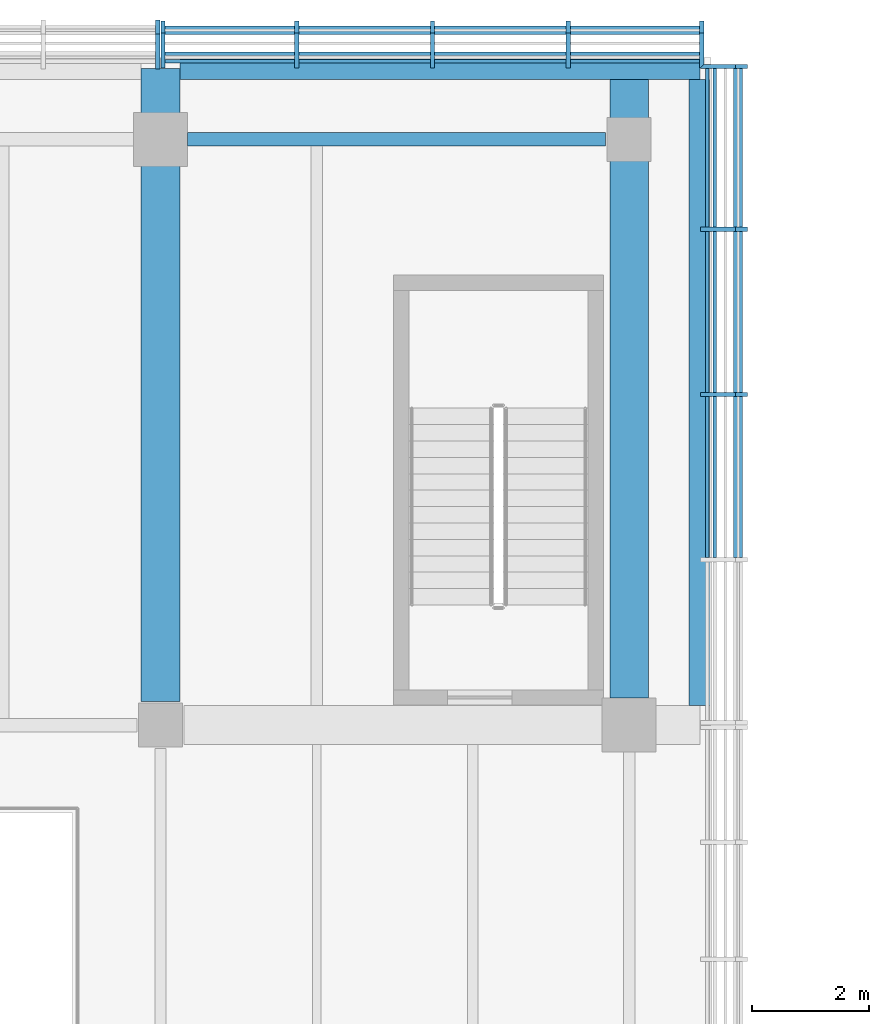
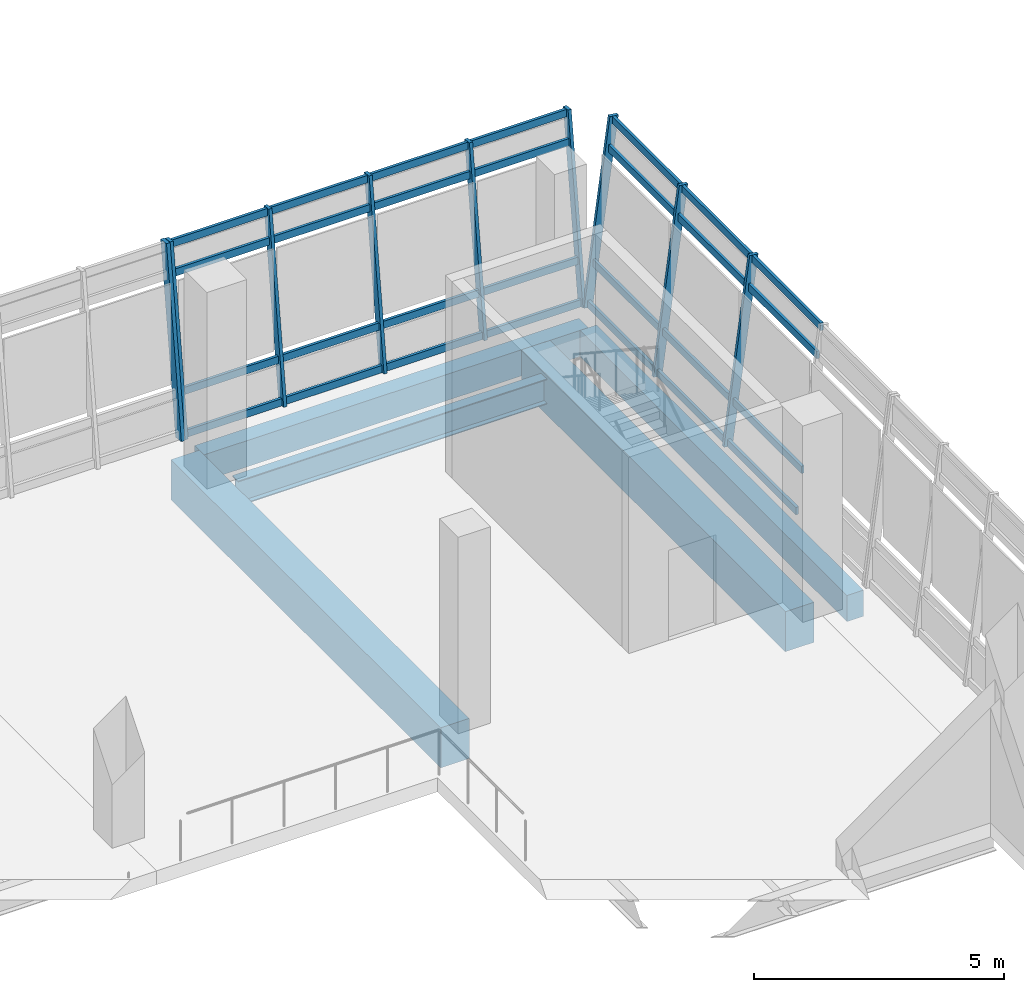
# One storey, part 17 of 52: 37 members, 5 beams, 3 elements without a shape of their own.
"""IFC4 building model written with IfcOpenShell, lengths in metres."""

from ifc_helpers import new_model, si_unit, direction, frame, origin, origin_2d, place, context, subcontext, project, spatial, rectangle, i_section, extrude, material, material_profile, profile_set, type_object, element, aggregate, save


model = new_model("IFC4")

# Units and contexts
model_context = context("Model", 3, precision=1e-05, world=origin(), true_north=direction((0.0, 1.0)))
body_context = subcontext(model_context, "Body", "Model", "MODEL_VIEW")
ifc_project = project(units=[si_unit("LENGTHUNIT", "METRE"), si_unit("AREAUNIT", "SQUARE_METRE"), si_unit("VOLUMEUNIT", "CUBIC_METRE"), si_unit("PLANEANGLEUNIT", "RADIAN"), si_unit("MASSUNIT", "GRAM", prefix="KILO")], contexts=[model_context])

# Site, building, storey
site_placement = place(None, origin())
site = spatial("IfcSite", under=ifc_project, at=site_placement, CompositionType="ELEMENT")
building_placement = place(site_placement, origin())
building = spatial("IfcBuilding", under=site, at=building_placement, Name="Pecanmere Concourse Central Library", CompositionType="ELEMENT")
storey_placement = place(building_placement, frame((0.0, 0.0, 10.5)))
storey = spatial("IfcBuildingStorey", under=building, at=storey_placement, Name="L03", CompositionType="ELEMENT", Elevation=10.5)

# Curtain wall, members
ifc_material_1 = material(Name="Anodized bronze aluminium alloy 6063-T6", Category="aluminium")
curtain_wall_type_1 = type_object("IfcCurtainWallType", Name="CW_LEAN_BANDED", PredefinedType="USERDEFINED", material=ifc_material_1)
curtain_wall_1_placement = place(storey_placement, origin())
curtain_wall_1 = element("IfcCurtainWall", 1, at=curtain_wall_1_placement, inside=storey, type_object=curtain_wall_type_1, Name="Unitised Curtain Wall CW-01 L03-022", ObjectType="UNITISED CURTAIN WALL", PredefinedType="USERDEFINED")
ifc_material_2 = material(Name="Anodized bronze aluminium alloy 6063-T6", Category="aluminium")
ifc_material_profile_1 = material_profile(ifc_material_2, rectangle(XDim=0.074951171875, YDim=0.199951171875, at=origin_2d()), Name="AL 75x200")
ifc_profile_set_1 = profile_set([ifc_material_profile_1], Name="Anodized bronze aluminium alloy 6063-T6")
member_type_1 = type_object("IfcMemberType", Name="CWM_200x75", PredefinedType="MULLION", material=ifc_profile_set_1)
member_1_placement = place(storey_placement, frame((105.243408203125, 125.321044921875, 0.0), z_axis=(0.0, 0.132234484848, 0.991218462811), x_axis=(-1.0, 0.0, 0.0)))
member_1 = element("IfcMember", 2, at=member_1_placement, type_object=member_type_1, Name="CW-01 Mullion 1", PredefinedType="MULLION", context=body_context, shape_type="SweptSolid", body=[
    extrude(rectangle(XDim=0.074951171875, YDim=0.199951171875, at=origin_2d()), origin(), (0.0, 0.0, 1.0), 4.519775390625),
])
member_2_placement = place(storey_placement, frame((102.9619140625, 125.321044921875, 0.0), z_axis=(0.0, 0.132234484848, 0.991218462811), x_axis=(-1.0, 0.0, 0.0)))
member_2 = element("IfcMember", 3, at=member_2_placement, type_object=member_type_1, Name="CW-01 Mullion 2", PredefinedType="MULLION", context=body_context, shape_type="SweptSolid", body=[
    extrude(rectangle(XDim=0.074951171875, YDim=0.199951171875, at=origin_2d()), origin(), (0.0, 0.0, 1.0), 4.519775390625),
])
member_3_placement = place(storey_placement, frame((100.64306640625, 125.321044921875, 0.0), z_axis=(0.0, 0.132234484848, 0.991218462811), x_axis=(-1.0, 0.0, 0.0)))
member_3 = element("IfcMember", 4, at=member_3_placement, type_object=member_type_1, Name="CW-01 Mullion 3", PredefinedType="MULLION", context=body_context, shape_type="SweptSolid", body=[
    extrude(rectangle(XDim=0.074951171875, YDim=0.199951171875, at=origin_2d()), origin(), (0.0, 0.0, 1.0), 4.519775390625),
])
member_4_placement = place(storey_placement, frame((98.323974609375, 125.321044921875, 0.0), z_axis=(0.0, 0.132234484848, 0.991218462811), x_axis=(-1.0, 0.0, 0.0)))
member_4 = element("IfcMember", 5, at=member_4_placement, type_object=member_type_1, Name="CW-01 Mullion 4", PredefinedType="MULLION", context=body_context, shape_type="SweptSolid", body=[
    extrude(rectangle(XDim=0.074951171875, YDim=0.199951171875, at=origin_2d()), origin(), (0.0, 0.0, 1.0), 4.519775390625),
])
member_5_placement = place(storey_placement, frame((96.04248046875, 125.321044921875, 0.0), z_axis=(0.0, 0.132234484848, 0.991218462811), x_axis=(-1.0, 0.0, 0.0)))
member_5 = element("IfcMember", 6, at=member_5_placement, type_object=member_type_1, Name="CW-01 Mullion 5", PredefinedType="MULLION", context=body_context, shape_type="SweptSolid", body=[
    extrude(rectangle(XDim=0.074951171875, YDim=0.199951171875, at=origin_2d()), origin(), (0.0, 0.0, 1.0), 4.519775390625),
])

curtain_wall_2_placement = place(storey_placement, origin())
curtain_wall_2 = element("IfcCurtainWall", 7, at=curtain_wall_2_placement, inside=storey, type_object=curtain_wall_type_1, Name="Unitised Curtain Wall CW-01 L03-033", ObjectType="UNITISED CURTAIN WALL", PredefinedType="USERDEFINED")
member_6_placement = place(storey_placement, frame((105.321044921875, 119.64306640625, 0.0), z_axis=(0.132234484848, 0.0, 0.991218462811), x_axis=(0.0, 1.0, 0.0)))
member_6 = element("IfcMember", 8, at=member_6_placement, type_object=member_type_1, Name="CW-01 Mullion 3", PredefinedType="MULLION", context=body_context, shape_type="SweptSolid", body=[
    extrude(rectangle(XDim=0.074951171875, YDim=0.199951171875, at=origin_2d()), origin(), (0.0, 0.0, 1.0), 4.519775390625),
])
member_7_placement = place(storey_placement, frame((105.321044921875, 122.4619140625, 0.0), z_axis=(0.132234484848, 0.0, 0.991218462811), x_axis=(0.0, 1.0, 0.0)))
member_7 = element("IfcMember", 9, at=member_7_placement, type_object=member_type_1, Name="CW-01 Mullion 4", PredefinedType="MULLION", context=body_context, shape_type="SweptSolid", body=[
    extrude(rectangle(XDim=0.074951171875, YDim=0.199951171875, at=origin_2d()), origin(), (0.0, 0.0, 1.0), 4.519775390625),
])
member_8_placement = place(storey_placement, frame((105.321044921875, 125.243408203125, 0.0), z_axis=(0.132234484848, 0.0, 0.991218462811), x_axis=(0.0, 1.0, 0.0)))
member_8 = element("IfcMember", 10, at=member_8_placement, type_object=member_type_1, Name="CW-01 Mullion 5", PredefinedType="MULLION", context=body_context, shape_type="SweptSolid", body=[
    extrude(rectangle(XDim=0.074951171875, YDim=0.199951171875, at=origin_2d()), origin(), (0.0, 0.0, 1.0), 4.519775390625),
])

# Curtain wall, member
ifc_material_3 = material(Name="Anodized bronze aluminium alloy 6063-T6", Category="aluminium")
curtain_wall_type_2 = type_object("IfcCurtainWallType", Name="CW_PORTAL_CLEAR", PredefinedType="USERDEFINED", material=ifc_material_3)
curtain_wall_3_placement = place(storey_placement, origin())
curtain_wall_3 = element("IfcCurtainWall", 11, at=curtain_wall_3_placement, inside=storey, type_object=curtain_wall_type_2, Name="Unitised Curtain Wall CW-03 L03-023", ObjectType="UNITISED CURTAIN WALL", PredefinedType="USERDEFINED")
ifc_material_4 = material(Name="Anodized bronze aluminium alloy 6063-T6", Category="aluminium")
ifc_material_profile_2 = material_profile(ifc_material_4, rectangle(XDim=0.0849609375, YDim=0.239990234375, at=origin_2d()), Name="AL 85x240")
ifc_profile_set_2 = profile_set([ifc_material_profile_2], Name="Anodized bronze aluminium alloy 6063-T6")
member_type_2 = type_object("IfcMemberType", Name="CWM_240x85", PredefinedType="MULLION", material=ifc_profile_set_2)
member_9_placement = place(storey_placement, frame((95.952392578125, 125.321044921875, 0.0), z_axis=(0.0, 0.132234484848, 0.991218462811), x_axis=(-1.0, 0.0, 0.0)))
member_9 = element("IfcMember", 12, at=member_9_placement, type_object=member_type_2, Name="CW-03 Mullion 1", PredefinedType="MULLION", context=body_context, shape_type="SweptSolid", body=[
    extrude(rectangle(XDim=0.0849609375, YDim=0.239990234375, at=origin_2d()), origin(), (0.0, 0.0, 1.0), 4.519775390625),
])
aggregate(curtain_wall_3, [member_9])

# Member
ifc_material_5 = material(Name="Anodized bronze aluminium alloy 6063-T6", Category="aluminium")
ifc_material_profile_3 = material_profile(ifc_material_5, rectangle(XDim=0.06494140625, YDim=0.179931640625, at=origin_2d()), Name="AL 65x180")
ifc_profile_set_3 = profile_set([ifc_material_profile_3], Name="Anodized bronze aluminium alloy 6063-T6")
member_type_3 = type_object("IfcMemberType", Name="CWT_180x65", PredefinedType="USERDEFINED", material=ifc_profile_set_3)
member_10_placement = place(storey_placement, frame((105.2060546875, 125.3330078125, 0.090087890625), z_axis=(-1.0, 0.0, 0.0), x_axis=(0.0, -1.0, 0.0)))
member_10 = element("IfcMember", 13, at=member_10_placement, type_object=member_type_3, Name="CW-01 Transom 1.1", ObjectType="TRANSOM", PredefinedType="USERDEFINED", context=body_context, shape_type="SweptSolid", body=[
    extrude(rectangle(XDim=0.06494140625, YDim=0.179931640625, at=origin_2d()), origin(), (0.0, 0.0, 1.0), 2.20654296875),
])

member_11_placement = place(storey_placement, frame((105.2060546875, 125.461181640625, 1.050048828125), z_axis=(-1.0, 0.0, 0.0), x_axis=(0.0, -1.0, 0.0)))
member_11 = element("IfcMember", 14, at=member_11_placement, type_object=member_type_3, Name="CW-01 Transom 1.2", ObjectType="TRANSOM", PredefinedType="USERDEFINED", context=body_context, shape_type="SweptSolid", body=[
    extrude(rectangle(XDim=0.06494140625, YDim=0.179931640625, at=origin_2d()), origin(), (0.0, 0.0, 1.0), 2.20654296875),
])

member_12_placement = place(storey_placement, frame((105.2060546875, 125.818603515625, 3.72998046875), z_axis=(-1.0, 0.0, 0.0), x_axis=(0.0, -1.0, 0.0)))
member_12 = element("IfcMember", 15, at=member_12_placement, type_object=member_type_3, Name="CW-01 Transom 1.3", ObjectType="TRANSOM", PredefinedType="USERDEFINED", context=body_context, shape_type="SweptSolid", body=[
    extrude(rectangle(XDim=0.06494140625, YDim=0.179931640625, at=origin_2d()), origin(), (0.0, 0.0, 1.0), 2.20654296875),
])

member_13_placement = place(storey_placement, frame((105.2060546875, 125.90673828125, 4.389892578125), z_axis=(-1.0, 0.0, 0.0), x_axis=(0.0, -1.0, 0.0)))
member_13 = element("IfcMember", 16, at=member_13_placement, type_object=member_type_3, Name="CW-01 Transom 1.4", ObjectType="TRANSOM", PredefinedType="USERDEFINED", context=body_context, shape_type="SweptSolid", body=[
    extrude(rectangle(XDim=0.06494140625, YDim=0.179931640625, at=origin_2d()), origin(), (0.0, 0.0, 1.0), 2.20654296875),
])

member_14_placement = place(storey_placement, frame((102.924560546875, 125.3330078125, 0.090087890625), z_axis=(-1.0, 0.0, 0.0), x_axis=(0.0, -1.0, 0.0)))
member_14 = element("IfcMember", 17, at=member_14_placement, type_object=member_type_3, Name="CW-01 Transom 2.1", ObjectType="TRANSOM", PredefinedType="USERDEFINED", context=body_context, shape_type="SweptSolid", body=[
    extrude(rectangle(XDim=0.06494140625, YDim=0.179931640625, at=origin_2d()), origin(), (0.0, 0.0, 1.0), 2.244140625),
])

member_15_placement = place(storey_placement, frame((102.924560546875, 125.461181640625, 1.050048828125), z_axis=(-1.0, 0.0, 0.0), x_axis=(0.0, -1.0, 0.0)))
member_15 = element("IfcMember", 18, at=member_15_placement, type_object=member_type_3, Name="CW-01 Transom 2.2", ObjectType="TRANSOM", PredefinedType="USERDEFINED", context=body_context, shape_type="SweptSolid", body=[
    extrude(rectangle(XDim=0.06494140625, YDim=0.179931640625, at=origin_2d()), origin(), (0.0, 0.0, 1.0), 2.244140625),
])

member_16_placement = place(storey_placement, frame((102.924560546875, 125.818603515625, 3.72998046875), z_axis=(-1.0, 0.0, 0.0), x_axis=(0.0, -1.0, 0.0)))
member_16 = element("IfcMember", 19, at=member_16_placement, type_object=member_type_3, Name="CW-01 Transom 2.3", ObjectType="TRANSOM", PredefinedType="USERDEFINED", context=body_context, shape_type="SweptSolid", body=[
    extrude(rectangle(XDim=0.06494140625, YDim=0.179931640625, at=origin_2d()), origin(), (0.0, 0.0, 1.0), 2.244140625),
])

member_17_placement = place(storey_placement, frame((102.924560546875, 125.90673828125, 4.389892578125), z_axis=(-1.0, 0.0, 0.0), x_axis=(0.0, -1.0, 0.0)))
member_17 = element("IfcMember", 20, at=member_17_placement, type_object=member_type_3, Name="CW-01 Transom 2.4", ObjectType="TRANSOM", PredefinedType="USERDEFINED", context=body_context, shape_type="SweptSolid", body=[
    extrude(rectangle(XDim=0.06494140625, YDim=0.179931640625, at=origin_2d()), origin(), (0.0, 0.0, 1.0), 2.244140625),
])

member_18_placement = place(storey_placement, frame((100.60546875, 125.3330078125, 0.090087890625), z_axis=(-1.0, 0.0, 0.0), x_axis=(0.0, -1.0, 0.0)))
member_18 = element("IfcMember", 21, at=member_18_placement, type_object=member_type_3, Name="CW-01 Transom 3.1", ObjectType="TRANSOM", PredefinedType="USERDEFINED", context=body_context, shape_type="SweptSolid", body=[
    extrude(rectangle(XDim=0.06494140625, YDim=0.179931640625, at=origin_2d()), origin(), (0.0, 0.0, 1.0), 2.243896484375),
])

member_19_placement = place(storey_placement, frame((100.60546875, 125.461181640625, 1.050048828125), z_axis=(-1.0, 0.0, 0.0), x_axis=(0.0, -1.0, 0.0)))
member_19 = element("IfcMember", 22, at=member_19_placement, type_object=member_type_3, Name="CW-01 Transom 3.2", ObjectType="TRANSOM", PredefinedType="USERDEFINED", context=body_context, shape_type="SweptSolid", body=[
    extrude(rectangle(XDim=0.06494140625, YDim=0.179931640625, at=origin_2d()), origin(), (0.0, 0.0, 1.0), 2.243896484375),
])

member_20_placement = place(storey_placement, frame((100.60546875, 125.818603515625, 3.72998046875), z_axis=(-1.0, 0.0, 0.0), x_axis=(0.0, -1.0, 0.0)))
member_20 = element("IfcMember", 23, at=member_20_placement, type_object=member_type_3, Name="CW-01 Transom 3.3", ObjectType="TRANSOM", PredefinedType="USERDEFINED", context=body_context, shape_type="SweptSolid", body=[
    extrude(rectangle(XDim=0.06494140625, YDim=0.179931640625, at=origin_2d()), origin(), (0.0, 0.0, 1.0), 2.243896484375),
])

member_21_placement = place(storey_placement, frame((100.60546875, 125.90673828125, 4.389892578125), z_axis=(-1.0, 0.0, 0.0), x_axis=(0.0, -1.0, 0.0)))
member_21 = element("IfcMember", 24, at=member_21_placement, type_object=member_type_3, Name="CW-01 Transom 3.4", ObjectType="TRANSOM", PredefinedType="USERDEFINED", context=body_context, shape_type="SweptSolid", body=[
    extrude(rectangle(XDim=0.06494140625, YDim=0.179931640625, at=origin_2d()), origin(), (0.0, 0.0, 1.0), 2.243896484375),
])

member_22_placement = place(storey_placement, frame((98.28662109375, 125.3330078125, 0.090087890625), z_axis=(-1.0, 0.0, 0.0), x_axis=(0.0, -1.0, 0.0)))
member_22 = element("IfcMember", 25, at=member_22_placement, type_object=member_type_3, Name="CW-01 Transom 4.1", ObjectType="TRANSOM", PredefinedType="USERDEFINED", context=body_context, shape_type="SweptSolid", body=[
    extrude(rectangle(XDim=0.06494140625, YDim=0.179931640625, at=origin_2d()), origin(), (0.0, 0.0, 1.0), 2.20654296875),
])

member_23_placement = place(storey_placement, frame((98.28662109375, 125.461181640625, 1.050048828125), z_axis=(-1.0, 0.0, 0.0), x_axis=(0.0, -1.0, 0.0)))
member_23 = element("IfcMember", 26, at=member_23_placement, type_object=member_type_3, Name="CW-01 Transom 4.2", ObjectType="TRANSOM", PredefinedType="USERDEFINED", context=body_context, shape_type="SweptSolid", body=[
    extrude(rectangle(XDim=0.06494140625, YDim=0.179931640625, at=origin_2d()), origin(), (0.0, 0.0, 1.0), 2.20654296875),
])

member_24_placement = place(storey_placement, frame((98.28662109375, 125.818603515625, 3.72998046875), z_axis=(-1.0, 0.0, 0.0), x_axis=(0.0, -1.0, 0.0)))
member_24 = element("IfcMember", 27, at=member_24_placement, type_object=member_type_3, Name="CW-01 Transom 4.3", ObjectType="TRANSOM", PredefinedType="USERDEFINED", context=body_context, shape_type="SweptSolid", body=[
    extrude(rectangle(XDim=0.06494140625, YDim=0.179931640625, at=origin_2d()), origin(), (0.0, 0.0, 1.0), 2.20654296875),
])

member_25_placement = place(storey_placement, frame((98.28662109375, 125.90673828125, 4.389892578125), z_axis=(-1.0, 0.0, 0.0), x_axis=(0.0, -1.0, 0.0)))
member_25 = element("IfcMember", 28, at=member_25_placement, type_object=member_type_3, Name="CW-01 Transom 4.4", ObjectType="TRANSOM", PredefinedType="USERDEFINED", context=body_context, shape_type="SweptSolid", body=[
    extrude(rectangle(XDim=0.06494140625, YDim=0.179931640625, at=origin_2d()), origin(), (0.0, 0.0, 1.0), 2.20654296875),
])

aggregate(curtain_wall_1, [member_1, member_2, member_3, member_4, member_5, member_10, member_11, member_12, member_13, member_14, member_15, member_16, member_17, member_18, member_19, member_20, member_21, member_22, member_23, member_24, member_25])

member_26_placement = place(storey_placement, frame((105.3330078125, 116.861572265625, 0.090087890625), z_axis=(0.0, 1.0, 0.0), x_axis=(-1.0, 0.0, 0.0)))
member_26 = element("IfcMember", 29, at=member_26_placement, type_object=member_type_3, Name="CW-01 Transom 2.1", ObjectType="TRANSOM", PredefinedType="USERDEFINED", context=body_context, shape_type="SweptSolid", body=[
    extrude(rectangle(XDim=0.06494140625, YDim=0.179931640625, at=origin_2d()), origin(), (0.0, 0.0, 1.0), 2.743896484375),
])

member_27_placement = place(storey_placement, frame((105.461181640625, 116.861572265625, 1.050048828125), z_axis=(0.0, 1.0, 0.0), x_axis=(-1.0, 0.0, 0.0)))
member_27 = element("IfcMember", 30, at=member_27_placement, type_object=member_type_3, Name="CW-01 Transom 2.2", ObjectType="TRANSOM", PredefinedType="USERDEFINED", context=body_context, shape_type="SweptSolid", body=[
    extrude(rectangle(XDim=0.06494140625, YDim=0.179931640625, at=origin_2d()), origin(), (0.0, 0.0, 1.0), 2.743896484375),
])

member_28_placement = place(storey_placement, frame((105.818603515625, 116.861572265625, 3.72998046875), z_axis=(0.0, 1.0, 0.0), x_axis=(-1.0, 0.0, 0.0)))
member_28 = element("IfcMember", 31, at=member_28_placement, type_object=member_type_3, Name="CW-01 Transom 2.3", ObjectType="TRANSOM", PredefinedType="USERDEFINED", context=body_context, shape_type="SweptSolid", body=[
    extrude(rectangle(XDim=0.06494140625, YDim=0.179931640625, at=origin_2d()), origin(), (0.0, 0.0, 1.0), 2.743896484375),
])

member_29_placement = place(storey_placement, frame((105.90673828125, 116.861572265625, 4.389892578125), z_axis=(0.0, 1.0, 0.0), x_axis=(-1.0, 0.0, 0.0)))
member_29 = element("IfcMember", 32, at=member_29_placement, type_object=member_type_3, Name="CW-01 Transom 2.4", ObjectType="TRANSOM", PredefinedType="USERDEFINED", context=body_context, shape_type="SweptSolid", body=[
    extrude(rectangle(XDim=0.06494140625, YDim=0.179931640625, at=origin_2d()), origin(), (0.0, 0.0, 1.0), 2.743896484375),
])

member_30_placement = place(storey_placement, frame((105.3330078125, 119.680419921875, 0.090087890625), z_axis=(0.0, 1.0, 0.0), x_axis=(-1.0, 0.0, 0.0)))
member_30 = element("IfcMember", 33, at=member_30_placement, type_object=member_type_3, Name="CW-01 Transom 3.1", ObjectType="TRANSOM", PredefinedType="USERDEFINED", context=body_context, shape_type="SweptSolid", body=[
    extrude(rectangle(XDim=0.06494140625, YDim=0.179931640625, at=origin_2d()), origin(), (0.0, 0.0, 1.0), 2.744140625),
])

member_31_placement = place(storey_placement, frame((105.461181640625, 119.680419921875, 1.050048828125), z_axis=(0.0, 1.0, 0.0), x_axis=(-1.0, 0.0, 0.0)))
member_31 = element("IfcMember", 34, at=member_31_placement, type_object=member_type_3, Name="CW-01 Transom 3.2", ObjectType="TRANSOM", PredefinedType="USERDEFINED", context=body_context, shape_type="SweptSolid", body=[
    extrude(rectangle(XDim=0.06494140625, YDim=0.179931640625, at=origin_2d()), origin(), (0.0, 0.0, 1.0), 2.744140625),
])

member_32_placement = place(storey_placement, frame((105.818603515625, 119.680419921875, 3.72998046875), z_axis=(0.0, 1.0, 0.0), x_axis=(-1.0, 0.0, 0.0)))
member_32 = element("IfcMember", 35, at=member_32_placement, type_object=member_type_3, Name="CW-01 Transom 3.3", ObjectType="TRANSOM", PredefinedType="USERDEFINED", context=body_context, shape_type="SweptSolid", body=[
    extrude(rectangle(XDim=0.06494140625, YDim=0.179931640625, at=origin_2d()), origin(), (0.0, 0.0, 1.0), 2.744140625),
])

member_33_placement = place(storey_placement, frame((105.90673828125, 119.680419921875, 4.389892578125), z_axis=(0.0, 1.0, 0.0), x_axis=(-1.0, 0.0, 0.0)))
member_33 = element("IfcMember", 36, at=member_33_placement, type_object=member_type_3, Name="CW-01 Transom 3.4", ObjectType="TRANSOM", PredefinedType="USERDEFINED", context=body_context, shape_type="SweptSolid", body=[
    extrude(rectangle(XDim=0.06494140625, YDim=0.179931640625, at=origin_2d()), origin(), (0.0, 0.0, 1.0), 2.744140625),
])

member_34_placement = place(storey_placement, frame((105.3330078125, 122.49951171875, 0.090087890625), z_axis=(0.0, 1.0, 0.0), x_axis=(-1.0, 0.0, 0.0)))
member_34 = element("IfcMember", 37, at=member_34_placement, type_object=member_type_3, Name="CW-01 Transom 4.1", ObjectType="TRANSOM", PredefinedType="USERDEFINED", context=body_context, shape_type="SweptSolid", body=[
    extrude(rectangle(XDim=0.06494140625, YDim=0.179931640625, at=origin_2d()), origin(), (0.0, 0.0, 1.0), 2.70654296875),
])

member_35_placement = place(storey_placement, frame((105.461181640625, 122.49951171875, 1.050048828125), z_axis=(0.0, 1.0, 0.0), x_axis=(-1.0, 0.0, 0.0)))
member_35 = element("IfcMember", 38, at=member_35_placement, type_object=member_type_3, Name="CW-01 Transom 4.2", ObjectType="TRANSOM", PredefinedType="USERDEFINED", context=body_context, shape_type="SweptSolid", body=[
    extrude(rectangle(XDim=0.06494140625, YDim=0.179931640625, at=origin_2d()), origin(), (0.0, 0.0, 1.0), 2.70654296875),
])

member_36_placement = place(storey_placement, frame((105.818603515625, 122.49951171875, 3.72998046875), z_axis=(0.0, 1.0, 0.0), x_axis=(-1.0, 0.0, 0.0)))
member_36 = element("IfcMember", 39, at=member_36_placement, type_object=member_type_3, Name="CW-01 Transom 4.3", ObjectType="TRANSOM", PredefinedType="USERDEFINED", context=body_context, shape_type="SweptSolid", body=[
    extrude(rectangle(XDim=0.06494140625, YDim=0.179931640625, at=origin_2d()), origin(), (0.0, 0.0, 1.0), 2.70654296875),
])

member_37_placement = place(storey_placement, frame((105.90673828125, 122.49951171875, 4.389892578125), z_axis=(0.0, 1.0, 0.0), x_axis=(-1.0, 0.0, 0.0)))
member_37 = element("IfcMember", 40, at=member_37_placement, type_object=member_type_3, Name="CW-01 Transom 4.4", ObjectType="TRANSOM", PredefinedType="USERDEFINED", context=body_context, shape_type="SweptSolid", body=[
    extrude(rectangle(XDim=0.06494140625, YDim=0.179931640625, at=origin_2d()), origin(), (0.0, 0.0, 1.0), 2.70654296875),
])

aggregate(curtain_wall_2, [member_6, member_7, member_8, member_26, member_27, member_28, member_29, member_30, member_31, member_32, member_33, member_34, member_35, member_36, member_37])

# Beams
ifc_material_6 = material(Name="Concrete C40/50", Category="concrete")
ifc_material_profile_4 = material_profile(ifc_material_6, rectangle(XDim=0.659912109375, YDim=0.97998046875, at=origin_2d()), Name="RC 660x980")
ifc_profile_set_4 = profile_set([ifc_material_profile_4], Name="Concrete C40/50")
beam_type_1 = type_object("IfcBeamType", Name="GRD_660x980", PredefinedType="USERDEFINED", material=ifc_profile_set_4)
beam_1_placement = place(storey_placement, frame((96.0, 114.39990234375, -0.830078125), z_axis=(0.0, 1.0, 0.0), x_axis=(-1.0, 0.0, 0.0)))
element("IfcBeam", 41, at=beam_1_placement, inside=storey, type_object=beam_type_1, Name="Primary Girder Y L03-1756", ObjectType="GIRDER", PredefinedType="USERDEFINED", context=body_context, shape_type="SweptSolid", body=[
    extrude(rectangle(XDim=0.659912109375, YDim=0.97998046875, at=origin_2d()), origin(), (0.0, 0.0, 1.0), 10.81103515625),
])
beam_2_placement = place(storey_placement, frame((104.0, 114.4599609375, -0.830078125), z_axis=(0.0, 1.0, 0.0), x_axis=(-1.0, 0.0, 0.0)))
element("IfcBeam", 42, at=beam_2_placement, inside=storey, type_object=beam_type_1, Name="Primary Girder Y L03-1765", ObjectType="GIRDER", PredefinedType="USERDEFINED", context=body_context, shape_type="SweptSolid", body=[
    extrude(rectangle(XDim=0.659912109375, YDim=0.97998046875, at=origin_2d()), origin(), (0.0, 0.0, 1.0), 10.56103515625),
])
ifc_material_7 = material(Name="Structural steel ASTM A992 Grade 50", Category="steel")
ifc_material_profile_5 = material_profile(ifc_material_7, i_section(OverallWidth=0.22998046875, OverallDepth=0.616943359375, WebThickness=0.01318359375, FlangeThickness=0.022216796875, at=origin_2d()), Name="W610x140")
ifc_profile_set_5 = profile_set([ifc_material_profile_5], Name="Structural steel ASTM A992 Grade 50")
beam_type_2 = type_object("IfcBeamType", Name="SBM_W610x140", PredefinedType="USERDEFINED", material=ifc_profile_set_5)
beam_3_placement = place(storey_placement, frame((96.4599609375, 124.0, -0.6484375), z_axis=(1.0, 0.0, 0.0), x_axis=(0.0, 1.0, 0.0)))
element("IfcBeam", 43, at=beam_3_placement, inside=storey, type_object=beam_type_2, Name="Primary Girder X L03-1657", ObjectType="GIRDER", PredefinedType="USERDEFINED", context=body_context, shape_type="SweptSolid", body=[
    extrude(i_section(OverallWidth=0.22998046875, OverallDepth=0.616943359375, WebThickness=0.01318359375, FlangeThickness=0.022216796875, at=origin_2d()), origin(), (0.0, 0.0, 1.0), 7.14013671875),
])
ifc_material_8 = material(Name="Concrete C40/50", Category="concrete")
ifc_material_profile_6 = material_profile(ifc_material_8, rectangle(XDim=0.3798828125, YDim=0.639892578125, at=origin_2d()), Name="RC 380x640")
ifc_profile_set_6 = profile_set([ifc_material_profile_6], Name="Concrete C40/50")
beam_type_3 = type_object("IfcBeamType", Name="SPB_380x640", PredefinedType="BEAM", material=ifc_profile_set_6)
beam_4_placement = place(storey_placement, frame((96.330078125, 125.2109375, -0.659912109375), z_axis=(1.0, 0.0, 0.0), x_axis=(0.0, 1.0, 0.0)))
element("IfcBeam", 44, at=beam_4_placement, inside=storey, type_object=beam_type_3, Name="Leaning Facade Edge Beam L03-1842", PredefinedType="BEAM", context=body_context, shape_type="SweptSolid", body=[
    extrude(rectangle(XDim=0.3798828125, YDim=0.639892578125, at=origin_2d()), origin(), (0.0, 0.0, 1.0), 8.880859375),
])
beam_5_placement = place(storey_placement, frame((105.2109375, 114.330078125, -0.659912109375), z_axis=(0.0, 1.0, 0.0), x_axis=(-1.0, 0.0, 0.0)))
element("IfcBeam", 45, at=beam_5_placement, inside=storey, type_object=beam_type_3, Name="Leaning Facade Edge Beam L03-1844", PredefinedType="BEAM", context=body_context, shape_type="SweptSolid", body=[
    extrude(rectangle(XDim=0.3798828125, YDim=0.639892578125, at=origin_2d()), origin(), (0.0, 0.0, 1.0), 10.69091796875),
])

save(model, "model.ifc")
